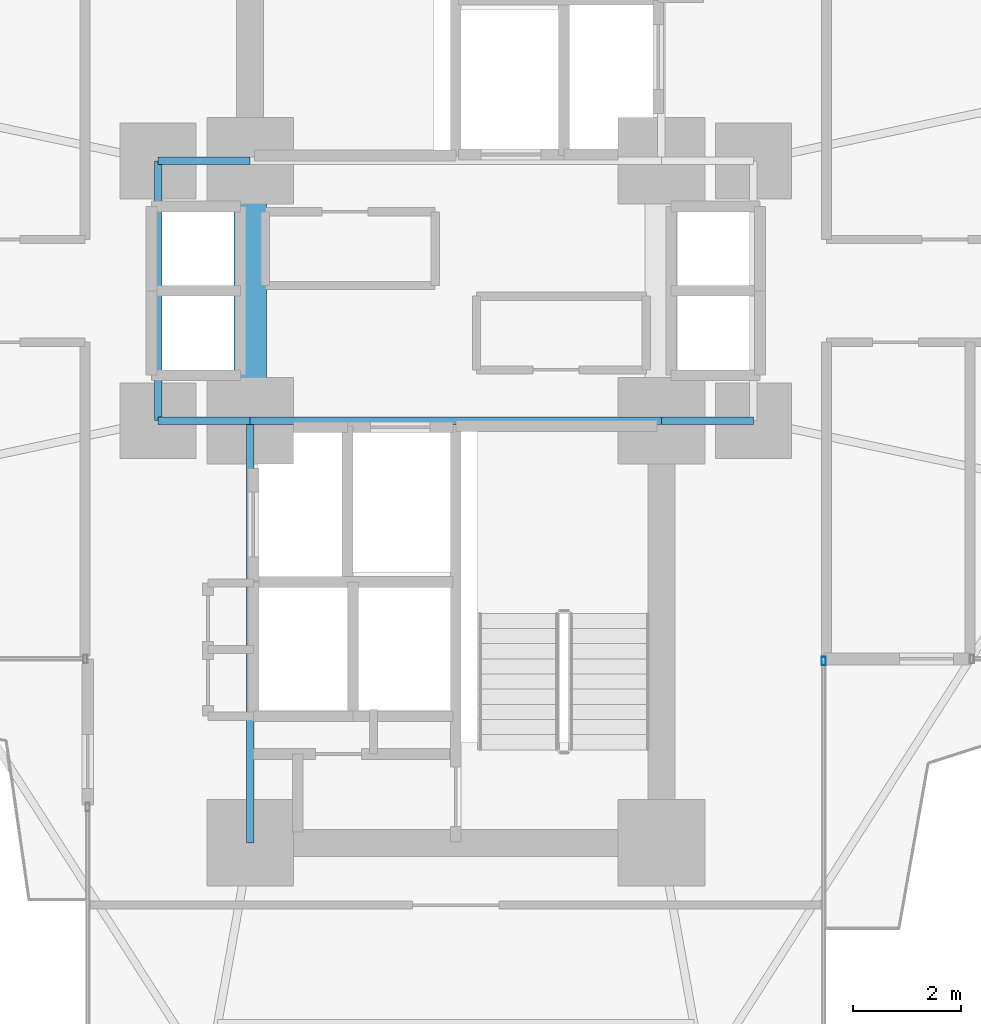
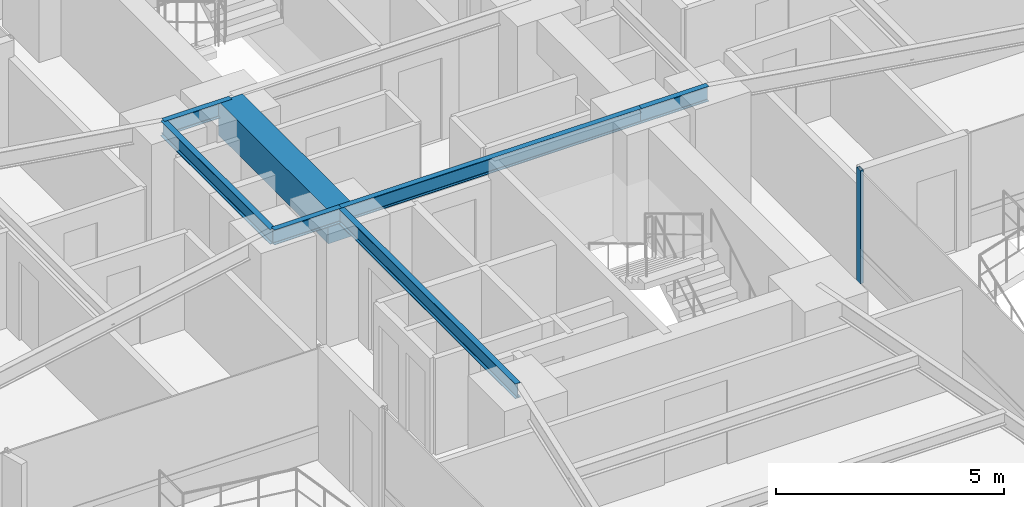
# One storey, part 11 of 25: 7 beams, 1 member, 1 element without a shape of its own.
"""IFC4 building model written with IfcOpenShell, lengths in metres."""

import ifcopenshell
import ifcopenshell.guid

model = None  # the IFC model being written
_history = None  # IfcOwnerHistory: only IFC2X3 demands one
_inside = {}  # id of a spatial element -> (the spatial element, [elements in it])
_under = {}  # id of a project, library or spatial element -> (it, [spatial elements below it])
_declared = {}  # id of a project -> (the project, [libraries it declares])
_typed = {}  # id of a type object -> (the type object, [elements of that type])
_made_of = {}  # id of a material, layer set ... -> (it, [elements and type objects made of it])


def new_model(schema):
    """Start an empty IFC model of exactly this schema.

    Asked for "IFC4X3", IfcOpenShell would pick the latest addendum, in which some entities
    have other attributes; the version numbers below select the first issue.
    IFC2X3 requires an IfcOwnerHistory on every rooted entity: one is made here for all.
    """
    global model, _history
    if schema == "IFC4X3":
        model = ifcopenshell.file(schema_version=(4, 3, 0, 0))
    else:
        model = ifcopenshell.file(schema=schema)
    _inside.clear()
    _under.clear()
    _declared.clear()
    _typed.clear()
    _made_of.clear()
    _history = None
    if model.schema == "IFC2X3":
        org = make("IfcOrganization", Name="unknown")
        user = make(
            "IfcPersonAndOrganization",
            ThePerson=make("IfcPerson", FamilyName="unknown"),
            TheOrganization=org,
        )
        app = make(
            "IfcApplication",
            ApplicationDeveloper=org,
            Version="unknown",
            ApplicationFullName="unknown",
            ApplicationIdentifier="unknown",
        )
        _history = make(
            "IfcOwnerHistory",
            OwningUser=user,
            OwningApplication=app,
            ChangeAction="ADDED",
            CreationDate=0,
        )
    return model


def make(cls, **values):
    """One entity of the class cls with the attributes given. An attribute that is None is left unset."""
    return model.create_entity(
        cls, **{name: value for name, value in values.items() if value is not None}
    )


def rooted(cls, **values):
    """An entity with a GlobalId (a new one), such as an element, a storey or a relation."""
    return make(cls, GlobalId=ifcopenshell.guid.new(), OwnerHistory=_history, **values)


def si_unit(unit_type, name, prefix=None):
    """IfcSIUnit, for example si_unit("LENGTHUNIT", "METRE", prefix="MILLI")."""
    return make("IfcSIUnit", UnitType=unit_type, Prefix=prefix, Name=name)


def assignment(units):
    """IfcUnitAssignment: the units of a project."""
    return None if units is None else make("IfcUnitAssignment", Units=units)


def point(xyz):
    """IfcCartesianPoint."""
    return None if xyz is None else make("IfcCartesianPoint", Coordinates=xyz)


def direction(xyz):
    """IfcDirection."""
    return None if xyz is None else make("IfcDirection", DirectionRatios=xyz)


def frame(location, z_axis=None, x_axis=None):
    """IfcAxis2Placement3D, a coordinate frame: its origin and axes. An axis left out is left unset."""
    return make(
        "IfcAxis2Placement3D",
        Location=point(location),
        Axis=direction(z_axis),
        RefDirection=direction(x_axis),
    )


def frame_2d(location, x_axis=None):
    """IfcAxis2Placement2D, a coordinate frame in the plane: its origin and x axis."""
    return make(
        "IfcAxis2Placement2D", Location=point(location), RefDirection=direction(x_axis)
    )


def origin():
    """The frame at (0, 0, 0) with its axes left unset."""
    return frame((0.0, 0.0, 0.0))


def origin_2d():
    """The frame at (0, 0) in the plane with its x axis left unset."""
    return frame_2d((0.0, 0.0))


def place(relative_to, where):
    """IfcLocalPlacement: puts the frame where relative to a parent placement (None: the world)."""
    return make(
        "IfcLocalPlacement", PlacementRelTo=relative_to, RelativePlacement=where
    )


def context(
    kind, dimensions, precision=None, world=None, true_north=None, identifier=None
):
    """IfcGeometricRepresentationContext, for example the 3D "Model" context."""
    return make(
        "IfcGeometricRepresentationContext",
        ContextIdentifier=identifier,
        ContextType=kind,
        CoordinateSpaceDimension=dimensions,
        Precision=precision,
        WorldCoordinateSystem=world,
        TrueNorth=true_north,
    )


def subcontext(parent, identifier, kind, view, scale=None):
    """IfcGeometricRepresentationSubContext, for example "Body" below "Model"."""
    return make(
        "IfcGeometricRepresentationSubContext",
        ContextIdentifier=identifier,
        ContextType=kind,
        ParentContext=parent,
        TargetScale=scale,
        TargetView=view,
    )


def project(units=None, contexts=None):
    """IfcProject with its units and contexts."""
    return rooted(
        "IfcProject",
        Name="project",
        RepresentationContexts=contexts,
        UnitsInContext=assignment(units),
    )


def spatial(cls, under=None, at=None, **own):
    """A site, building, storey or space (cls), placed at a placement, below another one or the project."""
    s = rooted(cls, ObjectPlacement=at, **own)
    if under is not None:
        _under.setdefault(under.id(), (under, []))[1].append(s)
    return s


def profile(cls, at=None, kind="AREA", **sizes):
    """A parametric profile (cls). Its sizes go by their IFC names, for example OverallWidth=200.0."""
    return make(cls, ProfileType=kind, Position=at, **sizes)


def rectangle(**sizes):
    """IfcRectangleProfileDef."""
    return profile("IfcRectangleProfileDef", **sizes)


def hollow_rectangle(**sizes):
    """IfcRectangleHollowProfileDef."""
    return profile("IfcRectangleHollowProfileDef", **sizes)


def i_section(**sizes):
    """IfcIShapeProfileDef."""
    return profile("IfcIShapeProfileDef", **sizes)


def extrude(swept, where, along, depth):
    """IfcExtrudedAreaSolid: the profile swept, set in the frame where, extruded along a direction by depth."""
    return make(
        "IfcExtrudedAreaSolid",
        SweptArea=swept,
        Position=where,
        ExtrudedDirection=direction(along),
        Depth=depth,
    )


def shape(context_of_items, identifier, shape_type, items):
    """IfcShapeRepresentation: the items that make up one representation, for example the "Body"."""
    return make(
        "IfcShapeRepresentation",
        ContextOfItems=context_of_items,
        RepresentationIdentifier=identifier,
        RepresentationType=shape_type,
        Items=items,
    )


def source(mapping_origin, context_of_items, identifier, shape_type, items):
    """IfcRepresentationMap: a shape defined once, which mapped items show again and again."""
    return make(
        "IfcRepresentationMap",
        MappingOrigin=mapping_origin,
        MappedRepresentation=shape(context_of_items, identifier, shape_type, items),
    )


def transform(
    local_origin,
    x_axis=None,
    y_axis=None,
    z_axis=None,
    scale=None,
    scale2=None,
    scale3=None,
    uniform=True,
):
    """IfcCartesianTransformationOperator3D, or its non-uniform kind. x_axis, y_axis, z_axis: its Axis1, 2, 3."""
    if uniform:
        return make(
            "IfcCartesianTransformationOperator3D",
            Axis1=direction(x_axis),
            Axis2=direction(y_axis),
            LocalOrigin=point(local_origin),
            Scale=scale,
            Axis3=direction(z_axis),
        )
    return make(
        "IfcCartesianTransformationOperator3DnonUniform",
        Axis1=direction(x_axis),
        Axis2=direction(y_axis),
        LocalOrigin=point(local_origin),
        Scale=scale,
        Axis3=direction(z_axis),
        Scale2=scale2,
        Scale3=scale3,
    )


def mapped(mapping_source, mapping_target):
    """IfcMappedItem: shows the shape of a source again, moved by a transform."""
    return make(
        "IfcMappedItem", MappingSource=mapping_source, MappingTarget=mapping_target
    )


def material(Name=None, Category=None):
    """IfcMaterial."""
    return make("IfcMaterial", Name=Name, Category=Category)


def material_profile(
    of_material, cross_section, Name=None, Category=None, Priority=None
):
    """IfcMaterialProfile: a cross section and its material."""
    return make(
        "IfcMaterialProfile",
        Name=Name,
        Material=of_material,
        Profile=cross_section,
        Priority=Priority,
        Category=Category,
    )


def profile_set(profiles, Name=None, composite=None):
    """IfcMaterialProfileSet."""
    return make(
        "IfcMaterialProfileSet",
        Name=Name,
        MaterialProfiles=profiles,
        CompositeProfile=composite,
    )


def made_of(thing, what):
    """Note that an element or type object is made of a material, layer set ...; save() writes the relation."""
    if what is not None:
        _made_of.setdefault(what.id(), (what, []))[1].append(thing)
    return thing


def type_object(cls, material=None, **own):
    """A type object (cls), such as IfcWallType, which elements share."""
    return made_of(rooted(cls, **own), material)


def element(
    cls,
    number,
    at=None,
    inside=None,
    cuts=None,
    type_object=None,
    material=None,
    context=None,
    identifier="Body",
    shape_type=None,
    held_by="IfcProductDefinitionShape",
    body=None,
    shapes=None,
    **own,
):
    """One element of the class cls, such as IfcWall. Its Tag is "e" and its number.

    at: its placement. inside: the storey or other place that contains it. cuts: it is an
    opening in that element (IfcRelVoidsElement). A single representation is given by context,
    identifier, shape_type and body (its items); several are given by shapes. held_by: the class
    of the entity that holds the representations. save() writes the other relations.
    """
    e = rooted(cls, Tag="e%d" % number, ObjectPlacement=at, **own)
    if body is not None:
        shapes = [shape(context, identifier, shape_type, body)]
    if shapes is not None:
        e.Representation = make(held_by, Representations=shapes)
    if inside is not None:
        _inside.setdefault(inside.id(), (inside, []))[1].append(e)
    if cuts is not None:
        rooted(
            "IfcRelVoidsElement", RelatingBuildingElement=cuts, RelatedOpeningElement=e
        )
    if type_object is not None:
        _typed.setdefault(type_object.id(), (type_object, []))[1].append(e)
    return made_of(e, material)


def aggregate(whole, parts):
    """IfcRelAggregates: a whole, such as a stair, and the parts it consists of."""
    return rooted("IfcRelAggregates", RelatingObject=whole, RelatedObjects=parts)


def save(model, path):
    """Write the relations noted so far, then the file.

    IfcRelAggregates (storeys below a building ...), IfcRelContainedInSpatialStructure (elements
    in a storey), IfcRelDefinesByType, IfcRelAssociatesMaterial and IfcRelDeclares: one each for
    every whole, place, type object, material and project.
    """
    for whole, parts in _under.values():
        aggregate(whole, parts)
    for where, things in _inside.values():
        rooted(
            "IfcRelContainedInSpatialStructure",
            RelatedElements=things,
            RelatingStructure=where,
        )
    for kind, things in _typed.values():
        rooted("IfcRelDefinesByType", RelatedObjects=things, RelatingType=kind)
    for what, things in _made_of.values():
        rooted("IfcRelAssociatesMaterial", RelatedObjects=things, RelatingMaterial=what)
    for by, libraries in _declared.values():
        rooted("IfcRelDeclares", RelatingContext=by, RelatedDefinitions=libraries)
    model.write(path)


model = new_model("IFC4")

# Units and contexts
model_context = context("Model", 3, precision=1e-05, world=origin(), true_north=direction((0.0, 1.0)))
body_context = subcontext(model_context, "Body", "Model", "MODEL_VIEW")
ifc_project = project(units=[si_unit("LENGTHUNIT", "METRE"), si_unit("AREAUNIT", "SQUARE_METRE"), si_unit("VOLUMEUNIT", "CUBIC_METRE"), si_unit("PLANEANGLEUNIT", "RADIAN"), si_unit("MASSUNIT", "GRAM", prefix="KILO")], contexts=[model_context])

# Site, building, storey
site_placement = place(None, origin())
site = spatial("IfcSite", under=ifc_project, at=site_placement, CompositionType="ELEMENT")
building_placement = place(site_placement, origin())
building = spatial("IfcBuilding", under=site, at=building_placement, Name="Sahyath Konkavel Grand Hotel", CompositionType="ELEMENT")
storey_placement = place(building_placement, frame((0.0, 0.0, 71.14990234375)))
storey = spatial("IfcBuildingStorey", under=building, at=storey_placement, Name="L19", CompositionType="ELEMENT", Elevation=71.14990234375)

# Beams
ifc_material_1 = material(Name="Concrete C70/85", Category="concrete")
ifc_material_profile_1 = material_profile(ifc_material_1, rectangle(XDim=0.60009765625, YDim=0.89990234375, at=origin_2d()), Name="RC 600x900")
ifc_profile_set_1 = profile_set([ifc_material_profile_1], Name="Concrete C70/85")
beam_type_1 = type_object("IfcBeamType", Name="BM-CB600x900", PredefinedType="LINTEL", material=ifc_profile_set_1)
shared_shape_1 = source(origin(), body_context, "Body", "SweptSolid", [
    extrude(rectangle(XDim=0.60009765625, YDim=0.89990234375, at=origin_2d()), origin(), (0.0, 0.0, 1.0), 4.7998046875),
])
beam_1_placement = place(storey_placement, frame((-3.800048828125, -2.39990234375, 2.580078125), z_axis=(0.0, 1.0, 0.0), x_axis=(-1.0, 0.0, 0.0)))
element("IfcBeam", 1, at=beam_1_placement, inside=storey, type_object=beam_type_1, Name="L19 Split-Core Coupling Beam West", PredefinedType="LINTEL", context=body_context, shape_type="MappedRepresentation", body=[
    mapped(shared_shape_1, transform((0.0, 0.0, 0.0), scale=1.0)),
])
ifc_material_2 = material(Name="Steel E350", Category="steel")
ifc_material_profile_2 = material_profile(ifc_material_2, i_section(OverallWidth=0.139892578125, OverallDepth=0.39990234375, WebThickness=0.0087890625, FlangeThickness=0.01611328125, FilletRadius=0.013916015625, at=origin_2d()), Name="ISMB 400")
ifc_profile_set_2 = profile_set([ifc_material_profile_2], Name="Steel E350")
beam_type_2 = type_object("IfcBeamType", Name="BM-ISMB400", PredefinedType="BEAM", material=ifc_profile_set_2)
shared_shape_2 = source(origin(), body_context, "Body", "SweptSolid", [
    extrude(i_section(OverallWidth=0.139892578125, OverallDepth=0.39990234375, WebThickness=0.0087890625, FlangeThickness=0.01611328125, FilletRadius=0.013916015625, at=origin_2d()), origin(), (0.0, 0.0, 1.0), 7.60009765625),
])
beam_2_placement = place(storey_placement, frame((-3.800048828125, -2.39990234375, 2.830078125), z_axis=(1.0, 0.0, 0.0), x_axis=(0.0, 1.0, 0.0)))
element("IfcBeam", 2, at=beam_2_placement, inside=storey, type_object=beam_type_2, Name="str:bm:L19:SC-N", PredefinedType="BEAM", context=body_context, shape_type="MappedRepresentation", body=[
    mapped(shared_shape_2, transform((0.0, 0.0, 0.0), scale=1.0)),
])
shared_shape_3 = source(origin(), body_context, "Body", "SweptSolid", [
    extrude(i_section(OverallWidth=0.139892578125, OverallDepth=0.39990234375, WebThickness=0.0087890625, FlangeThickness=0.01611328125, FilletRadius=0.013916015625, at=origin_2d()), origin(), (0.0, 0.0, 1.0), 7.800048828125),
])
beam_3_placement = place(storey_placement, frame((-3.800048828125, -10.199951171875, 2.830078125), z_axis=(0.0, 1.0, 0.0), x_axis=(-1.0, 0.0, 0.0)))
element("IfcBeam", 3, at=beam_3_placement, inside=storey, type_object=beam_type_2, Name="str:bm:L19:SC-W", PredefinedType="BEAM", context=body_context, shape_type="MappedRepresentation", body=[
    mapped(shared_shape_3, transform((0.0, 0.0, 0.0), scale=1.0)),
])
shared_shape_4 = source(origin(), body_context, "Body", "SweptSolid", [
    extrude(i_section(OverallWidth=0.139892578125, OverallDepth=0.39990234375, WebThickness=0.0087890625, FlangeThickness=0.01611328125, FilletRadius=0.013916015625, at=origin_2d()), origin(), (0.0, 0.0, 1.0), 1.699951171875),
])
for number, where, z_axis, x_axis, name in (
    (4, (-5.5, 2.39990234375, 2.830078125), (1.0, 0.0, 0.0), (0.0, 1.0, 0.0), "str:bm:L19:HB-NW"),
    (5, (-5.5, -2.39990234375, 2.830078125), (1.0, 0.0, 0.0), (0.0, 1.0, 0.0), "str:bm:L19:HB-SW"),
    (6, (3.800048828125, -2.39990234375, 2.830078125), (1.0, 0.0, 0.0), (0.0, 1.0, 0.0), "str:bm:L19:HB-SE"),
):
    element("IfcBeam", number, at=place(storey_placement, frame(where, z_axis=z_axis, x_axis=x_axis)), inside=storey, type_object=beam_type_2, Name=name, PredefinedType="BEAM", context=body_context, shape_type="MappedRepresentation", body=[
        mapped(shared_shape_4, transform((0.0, 0.0, 0.0), scale=1.0)),
    ])
shared_shape_5 = source(origin(), body_context, "Body", "SweptSolid", [
    extrude(i_section(OverallWidth=0.139892578125, OverallDepth=0.39990234375, WebThickness=0.0087890625, FlangeThickness=0.01611328125, FilletRadius=0.013916015625, at=origin_2d()), origin(), (0.0, 0.0, 1.0), 4.7998046875),
])
beam_4_placement = place(storey_placement, frame((-5.5, -2.39990234375, 2.830078125), z_axis=(0.0, 1.0, 0.0), x_axis=(-1.0, 0.0, 0.0)))
element("IfcBeam", 7, at=beam_4_placement, inside=storey, type_object=beam_type_2, Name="str:bm:L19:HB-W", PredefinedType="BEAM", context=body_context, shape_type="MappedRepresentation", body=[
    mapped(shared_shape_5, transform((0.0, 0.0, 0.0), scale=1.0)),
])

# Curtain wall, member
ifc_material_3 = material(Name="Anodised Bronze Aluminium & Low-E Glazing", Category="aluminium")
curtain_wall_type = type_object("IfcCurtainWallType", Name="CW-ZONE1", PredefinedType="NOTDEFINED", material=ifc_material_3)
curtain_wall_placement = place(storey_placement, origin())
curtain_wall = element("IfcCurtainWall", 8, at=curtain_wall_placement, inside=storey, type_object=curtain_wall_type, Name="L19 Unitised Curtain Wall F31", PredefinedType="NOTDEFINED")
ifc_material_4 = material(Name="Anodised Bronze Aluminium", Category="aluminium")
ifc_material_profile_3 = material_profile(ifc_material_4, hollow_rectangle(XDim=0.080078125, YDim=0.159912109375, WallThickness=0.006103515625, at=origin_2d()), Name="RHS 160x80x6")
ifc_profile_set_3 = profile_set([ifc_material_profile_3], Name="Anodised Bronze Aluminium")
member_type = type_object("IfcMemberType", Name="CW-MUL-160", PredefinedType="MULLION", material=ifc_profile_set_3)
shared_shape_6 = source(origin(), body_context, "Body", "SweptSolid", [
    extrude(hollow_rectangle(XDim=0.080078125, YDim=0.159912109375, WallThickness=0.006103515625, at=origin_2d()), origin(), (0.0, 0.0, 1.0), 3.030029296875),
])
member_placement = place(storey_placement, frame((6.800048828125, -6.840087890625, 0.0), z_axis=(0.0, 0.0, 1.0), x_axis=(1.0, 0.0, 0.0)))
member = element("IfcMember", 9, at=member_placement, type_object=member_type, Name="L19 Curtain Wall Mullion F31-2", PredefinedType="MULLION", context=body_context, shape_type="MappedRepresentation", body=[
    mapped(shared_shape_6, transform((0.0, 0.0, 0.0), scale=1.0)),
])
aggregate(curtain_wall, [member])

save(model, "model.ifc")
